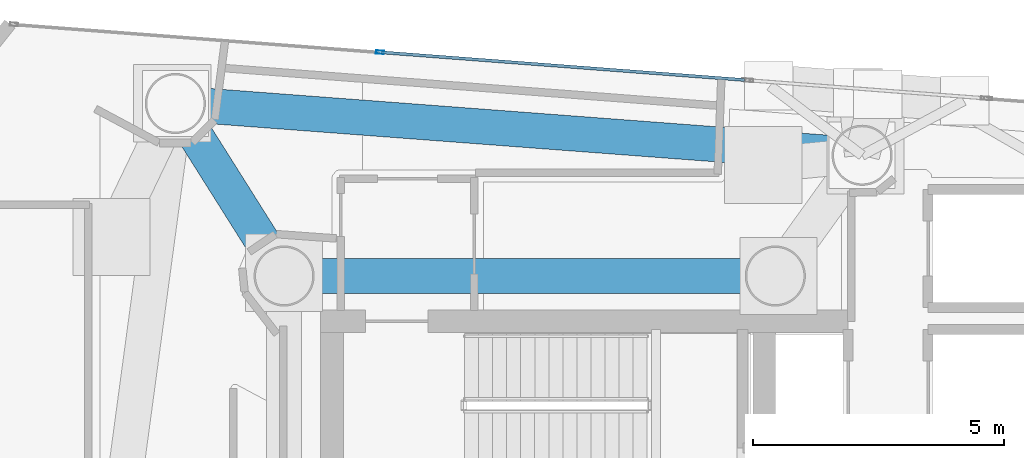
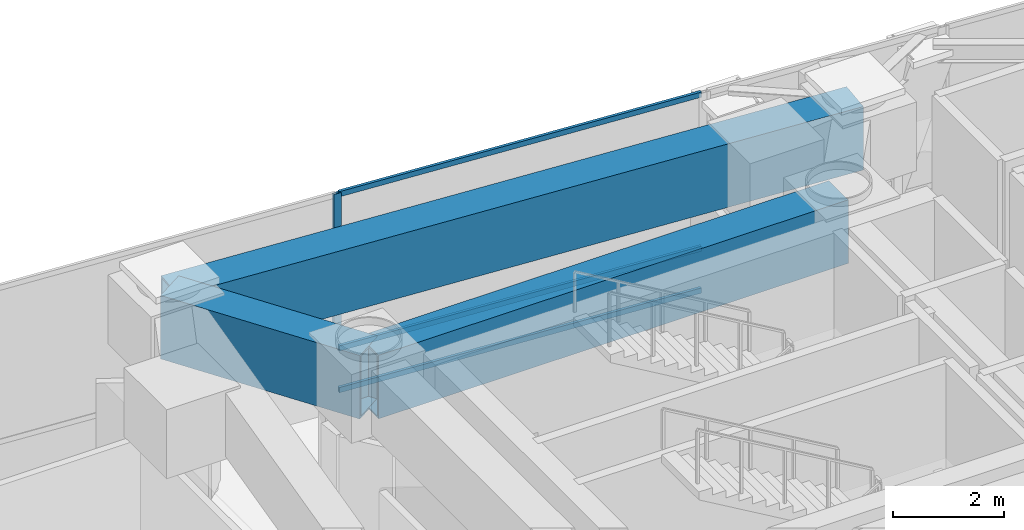
# One storey, part 10 of 20: 4 members, 3 beams, 1 element without a shape of its own.
"""IFC4 building model written with IfcOpenShell, lengths in metres."""

from ifc_helpers import new_model, si_unit, direction, frame, origin, origin_2d, place, context, subcontext, project, spatial, hollow_rectangle, extrude, material, layer, layer_set, material_profile, profile_set, type_object, element, aggregate, save


model = new_model("IFC4")

# Units and contexts
model_context = context("Model", 3, precision=1e-05, world=origin(), true_north=direction((0.0, 1.0)))
body_context = subcontext(model_context, "Body", "Model", "MODEL_VIEW")
ifc_project = project(units=[si_unit("LENGTHUNIT", "METRE"), si_unit("AREAUNIT", "SQUARE_METRE"), si_unit("VOLUMEUNIT", "CUBIC_METRE"), si_unit("PLANEANGLEUNIT", "RADIAN"), si_unit("MASSUNIT", "GRAM", prefix="KILO")], contexts=[model_context])

# Site, building, storey
site_placement = place(None, origin())
site = spatial("IfcSite", under=ifc_project, at=site_placement, CompositionType="ELEMENT")
building_placement = place(site_placement, origin())
building = spatial("IfcBuilding", under=site, at=building_placement, Name="Qianvela Tower", CompositionType="ELEMENT")
storey_placement = place(building_placement, frame((0.0, 0.0, 229.89990234375)))
storey = spatial("IfcBuildingStorey", under=building, at=storey_placement, Name="L59", CompositionType="ELEMENT", Elevation=229.89990234375)

# Beams
ifc_material_1 = material(Name="Steel Q420GJC", Category="steel")
ifc_material_profile_1 = material_profile(ifc_material_1, hollow_rectangle(XDim=0.699951171875, YDim=1.39990234375, WallThickness=0.0400390625, at=origin_2d()), Name="TG-BOX-1400x700x40")
ifc_profile_set_1 = profile_set([ifc_material_profile_1], Name="Steel Q420GJC")
beam_type = type_object("IfcBeamType", Name="BM-TG-RAD-1400", PredefinedType="BEAM", material=ifc_profile_set_1)
beam_1_placement = place(storey_placement, frame((28.60009765625, 33.550048828125, 3.677978515625), z_axis=(1.0, 0.0, 0.0), x_axis=(0.0, 1.0, 0.0)))
element("IfcBeam", 1, at=beam_1_placement, inside=storey, type_object=beam_type, Name="L59 Core Ring Transfer Girder 3", PredefinedType="BEAM", context=body_context, shape_type="SweptSolid", body=[
    extrude(hollow_rectangle(XDim=0.699951171875, YDim=1.39990234375, WallThickness=0.0400390625, at=origin_2d()), origin(), (0.0, 0.0, 1.0), 9.7998046875),
])
beam_2_placement = place(storey_placement, frame((40.131103515625, 35.9580078125, 3.677978515625), z_axis=(-0.997164346928, 0.075254669065, 0.0), x_axis=(-0.075254669065, -0.997164346928, 0.0)))
element("IfcBeam", 2, at=beam_2_placement, inside=storey, type_object=beam_type, Name="L59 Perimeter Belt-Truss Top Ring Girder 2", PredefinedType="BEAM", context=body_context, shape_type="SweptSolid", body=[
    extrude(hollow_rectangle(XDim=0.699951171875, YDim=1.39990234375, WallThickness=0.0400390625, at=origin_2d()), origin(), (0.0, 0.0, 1.0), 13.7392578125),
])
beam_3_placement = place(storey_placement, frame((28.60009765625, 33.550048828125, 3.677978515625), z_axis=(-0.533177693809, 0.846003278258, 0.0), x_axis=(-0.846003278258, -0.533177693809, 0.0)))
element("IfcBeam", 3, at=beam_3_placement, inside=storey, type_object=beam_type, Name="L59 Radial Outrigger Top Transfer Girder 3", PredefinedType="BEAM", context=body_context, shape_type="SweptSolid", body=[
    extrude(hollow_rectangle(XDim=0.699951171875, YDim=1.39990234375, WallThickness=0.0400390625, at=origin_2d()), origin(), (0.0, 0.0, 1.0), 4.068359375),
])

# Curtain wall, members
ifc_material_2 = material(Name="Anodised Architectural Aluminium and Low-E Glass", Category="aluminium")
ifc_layer = layer(ifc_material_2, 0.159912109375)
ifc_layer_set = layer_set([ifc_layer], Name="Anodised Architectural Aluminium and Low-E Glass")
curtain_wall_type = type_object("IfcCurtainWallType", Name="CW-COLIV-Z56", PredefinedType="USERDEFINED", material=ifc_layer_set)
curtain_wall_placement = place(storey_placement, origin())
curtain_wall = element("IfcCurtainWall", 4, at=curtain_wall_placement, inside=storey, type_object=curtain_wall_type, Name="L59 CW-COLIV-Z56 Curtain Wall 02C", ObjectType="CURTAIN_WALL_SYSTEM", PredefinedType="USERDEFINED")
ifc_material_3 = material(Name="Anodised Architectural Aluminium 6063-T6", Category="aluminium")
ifc_material_profile_2 = material_profile(ifc_material_3, hollow_rectangle(XDim=0.06494140625, YDim=0.159912109375, WallThickness=0.0048828125, at=origin_2d()), Name="ALU-MULL-65x160")
ifc_profile_set_2 = profile_set([ifc_material_profile_2], Name="Anodised Architectural Aluminium 6063-T6")
member_type_1 = type_object("IfcMemberType", Name="CW-COLIV-Z56-MULL", PredefinedType="MULLION", material=ifc_profile_set_2)
member_1_placement = place(storey_placement, frame((30.51220703125, 38.01416015625, 0.0), z_axis=(0.0, 0.0, 1.0), x_axis=(-0.075903292234, -0.997115184032, 0.0)))
member_1 = element("IfcMember", 5, at=member_1_placement, type_object=member_type_1, Name="CW-5 mullion 2", PredefinedType="MULLION", context=body_context, shape_type="SweptSolid", body=[
    extrude(hollow_rectangle(XDim=0.06494140625, YDim=0.159912109375, WallThickness=0.0048828125, at=origin_2d()), origin(), (0.0, 0.0, 1.0), 4.380126953125),
])
ifc_material_4 = material(Name="Anodised Architectural Aluminium 6063-T6", Category="aluminium")
ifc_material_profile_3 = material_profile(ifc_material_4, hollow_rectangle(XDim=0.06005859375, YDim=0.114990234375, WallThickness=0.00390625, at=origin_2d()), Name="ALU-TRAN-60x115")
ifc_profile_set_3 = profile_set([ifc_material_profile_3], Name="Anodised Architectural Aluminium 6063-T6")
member_type_2 = type_object("IfcMemberType", Name="CW-COLIV-Z56-TRAN", PredefinedType="USERDEFINED", material=ifc_profile_set_3)
member_2_placement = place(storey_placement, frame((37.7822265625, 37.460693359375, 0.030029296875), z_axis=(-0.997114326481, 0.07591455675, 0.0), x_axis=(-0.07591455675, -0.997114326481, 0.0)))
member_2 = element("IfcMember", 6, at=member_2_placement, type_object=member_type_2, Name="CW-5 transom 1.1", ObjectType="TRANSOM", PredefinedType="USERDEFINED", context=body_context, shape_type="SweptSolid", body=[
    extrude(hollow_rectangle(XDim=0.06005859375, YDim=0.114990234375, WallThickness=0.00390625, at=origin_2d()), origin(), (0.0, 0.0, 1.0), 7.258544921875),
])
member_3_placement = place(storey_placement, frame((37.7822265625, 37.460693359375, 0.9501953125), z_axis=(-0.997114326481, 0.07591455675, 0.0), x_axis=(-0.07591455675, -0.997114326481, 0.0)))
member_3 = element("IfcMember", 7, at=member_3_placement, type_object=member_type_2, Name="CW-5 transom 1.2", ObjectType="TRANSOM", PredefinedType="USERDEFINED", context=body_context, shape_type="SweptSolid", body=[
    extrude(hollow_rectangle(XDim=0.06005859375, YDim=0.114990234375, WallThickness=0.00390625, at=origin_2d()), origin(), (0.0, 0.0, 1.0), 7.258544921875),
])
member_4_placement = place(storey_placement, frame((37.7822265625, 37.460693359375, 4.35009765625), z_axis=(-0.997114326481, 0.07591455675, 0.0), x_axis=(-0.07591455675, -0.997114326481, 0.0)))
member_4 = element("IfcMember", 8, at=member_4_placement, type_object=member_type_2, Name="CW-5 transom 1.3", ObjectType="TRANSOM", PredefinedType="USERDEFINED", context=body_context, shape_type="SweptSolid", body=[
    extrude(hollow_rectangle(XDim=0.06005859375, YDim=0.114990234375, WallThickness=0.00390625, at=origin_2d()), origin(), (0.0, 0.0, 1.0), 7.258544921875),
])
aggregate(curtain_wall, [member_1, member_2, member_3, member_4])

save(model, "model.ifc")
